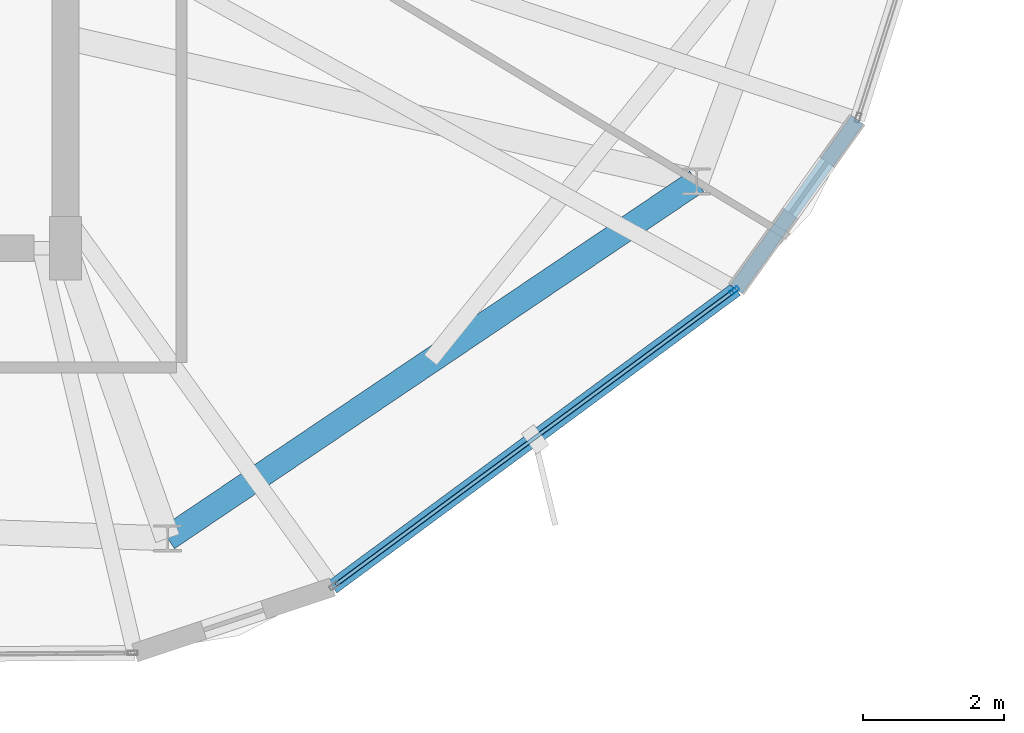
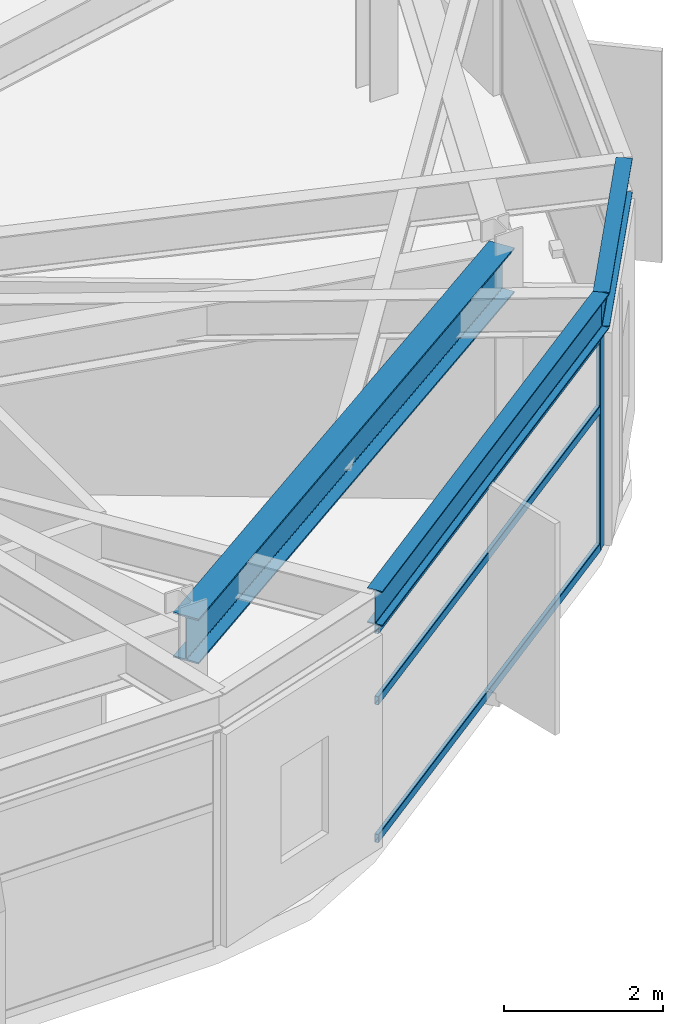
# One storey, part 6 of 22: 4 members, 3 beams, 1 element without a shape of its own.
"""IFC4 building model written with IfcOpenShell, lengths in metres."""

from ifc_helpers import new_model, si_unit, direction, frame, origin, origin_2d, place, context, subcontext, project, spatial, hollow_rectangle, i_section, extrude, material, layer, layer_set, material_profile, profile_set, type_object, element, aggregate, save


model = new_model("IFC4")

# Units and contexts
model_context = context("Model", 3, precision=1e-05, world=origin(), true_north=direction((0.0, 1.0)))
body_context = subcontext(model_context, "Body", "Model", "MODEL_VIEW")
ifc_project = project(units=[si_unit("LENGTHUNIT", "METRE"), si_unit("AREAUNIT", "SQUARE_METRE"), si_unit("VOLUMEUNIT", "CUBIC_METRE"), si_unit("PLANEANGLEUNIT", "RADIAN"), si_unit("MASSUNIT", "GRAM", prefix="KILO")], contexts=[model_context])

# Site, building, storey
site_placement = place(None, origin())
site = spatial("IfcSite", under=ifc_project, at=site_placement, CompositionType="ELEMENT")
building_placement = place(site_placement, origin())
building = spatial("IfcBuilding", under=site, at=building_placement, Name="Soratama Intermodal Tower", CompositionType="ELEMENT")
storey_placement = place(building_placement, frame((0.0, 0.0, 301.449951171875)))
storey = spatial("IfcBuildingStorey", under=building, at=storey_placement, Name="L76", CompositionType="ELEMENT", Elevation=301.449951171875)

# Beams
ifc_material_1 = material(Name="Structural steel ASTM A992 Grade 50", Category="steel")
ifc_material_profile_1 = material_profile(ifc_material_1, i_section(OverallWidth=0.35498046875, OverallDepth=0.695068359375, WebThickness=0.015380859375, FlangeThickness=0.02490234375, FilletRadius=0.01611328125, at=origin_2d()), Name="W27X146")
ifc_profile_set_1 = profile_set([ifc_material_profile_1], Name="Structural steel ASTM A992 Grade 50")
beam_type_1 = type_object("IfcBeamType", Name="BM-RING-W27X146", PredefinedType="BEAM", material=ifc_profile_set_1)
beam_1_placement = place(storey_placement, frame((46.052001953125, 10.8701171875, 3.547607421875), z_axis=(0.829065755123, 0.559151118824, 0.0), x_axis=(-0.559151118824, 0.829065755123, 0.0)))
element("IfcBeam", 1, at=beam_1_placement, inside=storey, type_object=beam_type_1, Name="BM-L76-RING-08", PredefinedType="BEAM", context=body_context, shape_type="SweptSolid", body=[
    extrude(i_section(OverallWidth=0.35498046875, OverallDepth=0.695068359375, WebThickness=0.015380859375, FlangeThickness=0.02490234375, FilletRadius=0.01611328125, at=origin_2d()), origin(), (0.0, 0.0, 1.0), 9.0849609375),
])
ifc_material_2 = material(Name="Structural steel ASTM A992 Grade 50", Category="steel")
ifc_material_profile_2 = material_profile(ifc_material_2, i_section(OverallWidth=0.2099609375, OverallDepth=0.537109375, WebThickness=0.010986328125, FlangeThickness=0.017333984375, FilletRadius=0.012939453125, at=origin_2d()), Name="W21X68")
ifc_profile_set_2 = profile_set([ifc_material_profile_2], Name="Structural steel ASTM A992 Grade 50")
beam_type_2 = type_object("IfcBeamType", Name="BM-SPN-W21X68", PredefinedType="SPANDREL", material=ifc_profile_set_2)
beam_2_placement = place(storey_placement, frame((48.39990234375, 10.176025390625, 3.62646484375), z_axis=(0.804717971587, 0.593657296935, 0.0), x_axis=(-0.593657296935, 0.804717971587, 0.0)))
element("IfcBeam", 2, at=beam_2_placement, inside=storey, type_object=beam_type_2, Name="BS-L76-F07", PredefinedType="SPANDREL", context=body_context, shape_type="SweptSolid", body=[
    extrude(i_section(OverallWidth=0.2099609375, OverallDepth=0.537109375, WebThickness=0.010986328125, FlangeThickness=0.017333984375, FilletRadius=0.012939453125, at=origin_2d()), origin(), (0.0, 0.0, 1.0), 7.140625),
])
beam_3_placement = place(storey_placement, frame((54.14599609375, 14.4150390625, 3.62646484375), z_axis=(0.58182189, 0.813316228977, 0.0), x_axis=(-0.813316228977, 0.58182189, 0.0)))
element("IfcBeam", 3, at=beam_3_placement, inside=storey, type_object=beam_type_2, Name="BS-L76-CRN07", PredefinedType="SPANDREL", context=body_context, shape_type="SweptSolid", body=[
    extrude(i_section(OverallWidth=0.2099609375, OverallDepth=0.537109375, WebThickness=0.010986328125, FlangeThickness=0.017333984375, FilletRadius=0.012939453125, at=origin_2d()), origin(), (0.0, 0.0, 1.0), 2.966552734375),
])

# Curtain wall, members
ifc_material_3 = material(Name="Double-glazed aluminium curtain wall", Category="aluminium")
ifc_layer = layer(ifc_material_3, 0.159912109375)
ifc_layer_set = layer_set([ifc_layer], Name="Double-glazed aluminium curtain wall")
curtain_wall_type = type_object("IfcCurtainWallType", Name="CW-SYS-6", PredefinedType="NOTDEFINED", material=ifc_layer_set)
curtain_wall_placement = place(storey_placement, origin())
curtain_wall = element("IfcCurtainWall", 4, at=curtain_wall_placement, inside=storey, type_object=curtain_wall_type, Name="L76 Faceted Curtain Wall F07", PredefinedType="NOTDEFINED")
ifc_material_4 = material(Name="Anodised aluminium AA 6063-T6", Category="aluminium")
ifc_material_profile_3 = material_profile(ifc_material_4, hollow_rectangle(XDim=0.06494140625, YDim=0.139892578125, WallThickness=0.0048828125, InnerFilletRadius=0.0048828125, OuterFilletRadius=0.010009765625, at=origin_2d()), Name="CWM140X65X5")
ifc_profile_set_3 = profile_set([ifc_material_profile_3], Name="Anodised aluminium AA 6063-T6")
member_type_1 = type_object("IfcMemberType", Name="MT-CWM-6", PredefinedType="MULLION", material=ifc_profile_set_3)
member_1_placement = place(storey_placement, frame((54.12158203125, 14.397705078125, 0.0), z_axis=(0.0, 0.0, 1.0), x_axis=(-0.593704851931, 0.804682887101, 0.0)))
member_1 = element("IfcMember", 5, at=member_1_placement, type_object=member_type_1, Name="CW-6 mullion 2", PredefinedType="MULLION", context=body_context, shape_type="SweptSolid", body=[
    extrude(hollow_rectangle(XDim=0.06494140625, YDim=0.139892578125, WallThickness=0.0048828125, InnerFilletRadius=0.0048828125, OuterFilletRadius=0.010009765625, at=origin_2d()), origin(), (0.0, 0.0, 1.0), 3.274169921875),
])
ifc_material_5 = material(Name="Anodised aluminium AA 6063-T6", Category="aluminium")
ifc_material_profile_4 = material_profile(ifc_material_5, hollow_rectangle(XDim=0.06005859375, YDim=0.1298828125, WallThickness=0.0048828125, InnerFilletRadius=0.0048828125, OuterFilletRadius=0.010009765625, at=origin_2d()), Name="CWT130X60X5")
ifc_profile_set_4 = profile_set([ifc_material_profile_4], Name="Anodised aluminium AA 6063-T6")
member_type_2 = type_object("IfcMemberType", Name="TT-CWT-2", PredefinedType="USERDEFINED", material=ifc_profile_set_4)
member_2_placement = place(storey_placement, frame((48.448486328125, 10.2119140625, 0.030029296875), z_axis=(0.804674558185, 0.593716140433, 0.0), x_axis=(-0.593716140433, 0.804674558185, 0.0)))
member_2 = element("IfcMember", 6, at=member_2_placement, type_object=member_type_2, Name="CW-6 transom 1.1", ObjectType="TRANSOM", PredefinedType="USERDEFINED", context=body_context, shape_type="SweptSolid", body=[
    extrude(hollow_rectangle(XDim=0.06005859375, YDim=0.1298828125, WallThickness=0.0048828125, InnerFilletRadius=0.0048828125, OuterFilletRadius=0.010009765625, at=origin_2d()), origin(), (0.0, 0.0, 1.0), 7.02001953125),
])
member_3_placement = place(storey_placement, frame((48.448486328125, 10.2119140625, 2.150146484375), z_axis=(0.804674558185, 0.593716140433, 0.0), x_axis=(-0.593716140433, 0.804674558185, 0.0)))
member_3 = element("IfcMember", 7, at=member_3_placement, type_object=member_type_2, Name="CW-6 transom 1.2", ObjectType="TRANSOM", PredefinedType="USERDEFINED", context=body_context, shape_type="SweptSolid", body=[
    extrude(hollow_rectangle(XDim=0.06005859375, YDim=0.1298828125, WallThickness=0.0048828125, InnerFilletRadius=0.0048828125, OuterFilletRadius=0.010009765625, at=origin_2d()), origin(), (0.0, 0.0, 1.0), 7.02001953125),
])
member_4_placement = place(storey_placement, frame((48.448486328125, 10.2119140625, 3.244140625), z_axis=(0.804674558185, 0.593716140433, 0.0), x_axis=(-0.593716140433, 0.804674558185, 0.0)))
member_4 = element("IfcMember", 8, at=member_4_placement, type_object=member_type_2, Name="CW-6 transom 1.3", ObjectType="TRANSOM", PredefinedType="USERDEFINED", context=body_context, shape_type="SweptSolid", body=[
    extrude(hollow_rectangle(XDim=0.06005859375, YDim=0.1298828125, WallThickness=0.0048828125, InnerFilletRadius=0.0048828125, OuterFilletRadius=0.010009765625, at=origin_2d()), origin(), (0.0, 0.0, 1.0), 7.02001953125),
])
aggregate(curtain_wall, [member_1, member_2, member_3, member_4])

save(model, "model.ifc")
